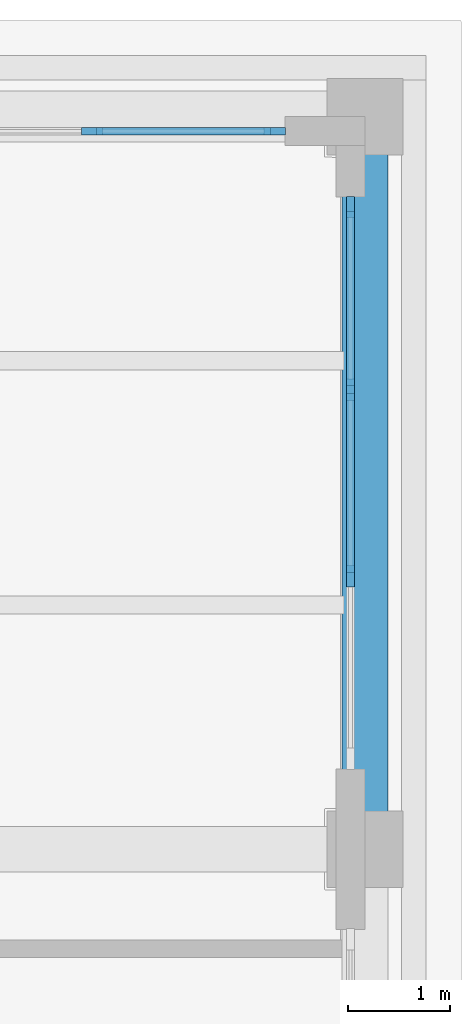
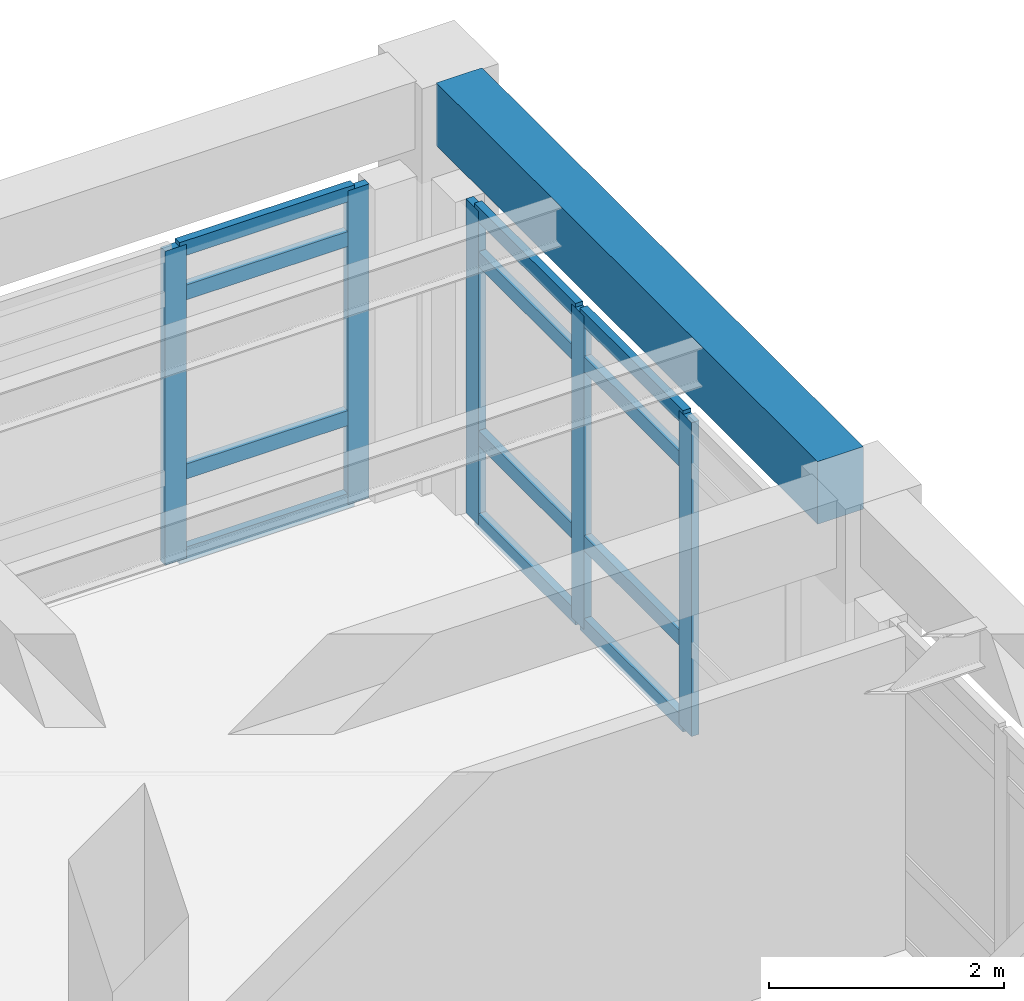
# One storey, part 32 of 67: 17 members, 1 beam, 2 elements without a shape of their own.
"""IFC4 building model written with IfcOpenShell, lengths in metres."""

from ifc_helpers import new_model, si_unit, direction, frame, origin, origin_2d, place, context, subcontext, project, spatial, rectangle, extrude, material, layer, layer_set, material_profile, profile_set, type_object, element, aggregate, save


model = new_model("IFC4")

# Units and contexts
model_context = context("Model", 3, precision=1e-05, world=origin(), true_north=direction((0.0, 1.0)))
body_context = subcontext(model_context, "Body", "Model", "MODEL_VIEW")
ifc_project = project(units=[si_unit("LENGTHUNIT", "METRE"), si_unit("AREAUNIT", "SQUARE_METRE"), si_unit("VOLUMEUNIT", "CUBIC_METRE"), si_unit("PLANEANGLEUNIT", "RADIAN"), si_unit("MASSUNIT", "GRAM", prefix="KILO")], contexts=[model_context])

# Site, building, storey
site_placement = place(None, origin())
site = spatial("IfcSite", under=ifc_project, at=site_placement, CompositionType="ELEMENT")
building_placement = place(site_placement, origin())
building = spatial("IfcBuilding", under=site, at=building_placement, Name="Solenvale Faculty of Natural Sciences", CompositionType="ELEMENT")
storey_placement = place(building_placement, frame((0.0, 0.0, 13.5)))
storey = spatial("IfcBuildingStorey", under=building, at=storey_placement, Name="L03", CompositionType="ELEMENT", Elevation=13.5)

# Beam
ifc_material_1 = material(Name="Concrete 40 MPa", Category="concrete")
ifc_material_profile_1 = material_profile(ifc_material_1, rectangle(XDim=0.449951171875, YDim=0.64990234375, at=origin_2d()), Name="RC-BM-450x650")
ifc_profile_set_1 = profile_set([ifc_material_profile_1], Name="Concrete 40 MPa")
beam_type = type_object("IfcBeamType", Name="BM-RC-450x650", PredefinedType="BEAM", material=ifc_profile_set_1)
beam_placement = place(storey_placement, frame((151.199951171875, 108.35498046875, 3.89501953125), z_axis=(0.0, 1.0, 0.0), x_axis=(-1.0, 0.0, 0.0)))
element("IfcBeam", 1, at=beam_placement, inside=storey, type_object=beam_type, Name="L03 Y-Girder X151.2 (108.0..115.2)", PredefinedType="BEAM", context=body_context, shape_type="SweptSolid", body=[
    extrude(rectangle(XDim=0.449951171875, YDim=0.64990234375, at=origin_2d()), origin(), (0.0, 0.0, 1.0), 6.489990234375),
])

# Curtain wall, members
ifc_material_2 = material(Name="Anodised bronze aluminium", Category="aluminium")
ifc_layer = layer(ifc_material_2, 0.179931640625)
ifc_layer_set = layer_set([ifc_layer], Name="Anodised bronze aluminium")
curtain_wall_type = type_object("IfcCurtainWallType", Name="CW-TWR-MOD", PredefinedType="USERDEFINED", material=ifc_layer_set)
curtain_wall_1_placement = place(storey_placement, origin())
curtain_wall_1 = element("IfcCurtainWall", 2, at=curtain_wall_1_placement, inside=storey, type_object=curtain_wall_type, Name="L03 Curtain Wall CW-L03-P3-E3-B3", ObjectType="UNITISED CURTAIN WALL", PredefinedType="USERDEFINED")
ifc_material_profile_2 = material_profile(ifc_material_2, rectangle(XDim=0.074951171875, YDim=0.2099609375, at=origin_2d()), Name="ALU-MUL-75x210")
ifc_profile_set_2 = profile_set([ifc_material_profile_2], Name="Anodised bronze aluminium")
member_type_1 = type_object("IfcMemberType", Name="CWM-ALU-75x210", PredefinedType="MULLION", material=ifc_profile_set_2)
member_1_placement = place(storey_placement, frame((151.0576171875, 110.683349609375, 0.0), z_axis=(0.0, 0.0, 1.0), x_axis=(-1.0, 0.0, 0.0)))
member_1 = element("IfcMember", 3, at=member_1_placement, type_object=member_type_1, Name="CW-04 mullion 2", PredefinedType="MULLION", context=body_context, shape_type="SweptSolid", body=[
    extrude(rectangle(XDim=0.074951171875, YDim=0.2099609375, at=origin_2d()), origin(), (0.0, 0.0, 1.0), 3.260009765625),
])
member_2_placement = place(storey_placement, frame((151.0576171875, 112.5166015625, 0.0), z_axis=(0.0, 0.0, 1.0), x_axis=(-1.0, 0.0, 0.0)))
member_2 = element("IfcMember", 4, at=member_2_placement, type_object=member_type_1, Name="CW-04 mullion 3", PredefinedType="MULLION", context=body_context, shape_type="SweptSolid", body=[
    extrude(rectangle(XDim=0.074951171875, YDim=0.2099609375, at=origin_2d()), origin(), (0.0, 0.0, 1.0), 3.260009765625),
])
member_3_placement = place(storey_placement, frame((151.0576171875, 114.3125, 0.0), z_axis=(0.0, 0.0, 1.0), x_axis=(-1.0, 0.0, 0.0)))
member_3 = element("IfcMember", 5, at=member_3_placement, type_object=member_type_1, Name="CW-04 mullion 4", PredefinedType="MULLION", context=body_context, shape_type="SweptSolid", body=[
    extrude(rectangle(XDim=0.074951171875, YDim=0.2099609375, at=origin_2d()), origin(), (0.0, 0.0, 1.0), 3.260009765625),
])

curtain_wall_2_placement = place(storey_placement, origin())
curtain_wall_2 = element("IfcCurtainWall", 6, at=curtain_wall_2_placement, inside=storey, type_object=curtain_wall_type, Name="L03 Curtain Wall CW-L03-P3-E4-B1", ObjectType="UNITISED CURTAIN WALL", PredefinedType="USERDEFINED")
member_4_placement = place(storey_placement, frame((150.3125, 115.0576171875, 0.0), z_axis=(0.0, 0.0, 1.0), x_axis=(0.0, -1.0, 0.0)))
member_4 = element("IfcMember", 7, at=member_4_placement, type_object=member_type_1, Name="CW-04 mullion 1", PredefinedType="MULLION", context=body_context, shape_type="SweptSolid", body=[
    extrude(rectangle(XDim=0.074951171875, YDim=0.2099609375, at=origin_2d()), origin(), (0.0, 0.0, 1.0), 3.260009765625),
])
member_5_placement = place(storey_placement, frame((148.5166015625, 115.0576171875, 0.0), z_axis=(0.0, 0.0, 1.0), x_axis=(0.0, -1.0, 0.0)))
member_5 = element("IfcMember", 8, at=member_5_placement, type_object=member_type_1, Name="CW-04 mullion 2", PredefinedType="MULLION", context=body_context, shape_type="SweptSolid", body=[
    extrude(rectangle(XDim=0.074951171875, YDim=0.2099609375, at=origin_2d()), origin(), (0.0, 0.0, 1.0), 3.260009765625),
])

# Member
ifc_material_profile_3 = material_profile(ifc_material_2, rectangle(XDim=0.074951171875, YDim=0.155029296875, at=origin_2d()), Name="ALU-TRN-75x155")
ifc_profile_set_3 = profile_set([ifc_material_profile_3], Name="Anodised bronze aluminium")
member_type_2 = type_object("IfcMemberType", Name="CWT-ALU-75x155", PredefinedType="USERDEFINED", material=ifc_profile_set_3)
member_6_placement = place(storey_placement, frame((151.0576171875, 110.720947265625, 0.03759765625), z_axis=(0.0, 1.0, 0.0), x_axis=(-1.0, 0.0, 0.0)))
member_6 = element("IfcMember", 9, at=member_6_placement, type_object=member_type_2, Name="CW-04 transom 2.1", ObjectType="TRANSOM", PredefinedType="USERDEFINED", context=body_context, shape_type="SweptSolid", body=[
    extrude(rectangle(XDim=0.074951171875, YDim=0.155029296875, at=origin_2d()), origin(), (0.0, 0.0, 1.0), 1.75830078125),
])

member_7_placement = place(storey_placement, frame((151.0576171875, 110.720947265625, 0.89990234375), z_axis=(0.0, 1.0, 0.0), x_axis=(-1.0, 0.0, 0.0)))
member_7 = element("IfcMember", 10, at=member_7_placement, type_object=member_type_2, Name="CW-04 transom 2.2", ObjectType="TRANSOM", PredefinedType="USERDEFINED", context=body_context, shape_type="SweptSolid", body=[
    extrude(rectangle(XDim=0.074951171875, YDim=0.155029296875, at=origin_2d()), origin(), (0.0, 0.0, 1.0), 1.75830078125),
])

member_8_placement = place(storey_placement, frame((151.0576171875, 110.720947265625, 2.760009765625), z_axis=(0.0, 1.0, 0.0), x_axis=(-1.0, 0.0, 0.0)))
member_8 = element("IfcMember", 11, at=member_8_placement, type_object=member_type_2, Name="CW-04 transom 2.3", ObjectType="TRANSOM", PredefinedType="USERDEFINED", context=body_context, shape_type="SweptSolid", body=[
    extrude(rectangle(XDim=0.074951171875, YDim=0.155029296875, at=origin_2d()), origin(), (0.0, 0.0, 1.0), 1.75830078125),
])

member_9_placement = place(storey_placement, frame((151.0576171875, 110.720947265625, 3.222412109375), z_axis=(0.0, 1.0, 0.0), x_axis=(-1.0, 0.0, 0.0)))
member_9 = element("IfcMember", 12, at=member_9_placement, type_object=member_type_2, Name="CW-04 transom 2.4", ObjectType="TRANSOM", PredefinedType="USERDEFINED", context=body_context, shape_type="SweptSolid", body=[
    extrude(rectangle(XDim=0.074951171875, YDim=0.155029296875, at=origin_2d()), origin(), (0.0, 0.0, 1.0), 1.75830078125),
])

member_10_placement = place(storey_placement, frame((151.0576171875, 112.55419921875, 0.03759765625), z_axis=(0.0, 1.0, 0.0), x_axis=(-1.0, 0.0, 0.0)))
member_10 = element("IfcMember", 13, at=member_10_placement, type_object=member_type_2, Name="CW-04 transom 3.1", ObjectType="TRANSOM", PredefinedType="USERDEFINED", context=body_context, shape_type="SweptSolid", body=[
    extrude(rectangle(XDim=0.074951171875, YDim=0.155029296875, at=origin_2d()), origin(), (0.0, 0.0, 1.0), 1.720703125),
])

member_11_placement = place(storey_placement, frame((151.0576171875, 112.55419921875, 0.89990234375), z_axis=(0.0, 1.0, 0.0), x_axis=(-1.0, 0.0, 0.0)))
member_11 = element("IfcMember", 14, at=member_11_placement, type_object=member_type_2, Name="CW-04 transom 3.2", ObjectType="TRANSOM", PredefinedType="USERDEFINED", context=body_context, shape_type="SweptSolid", body=[
    extrude(rectangle(XDim=0.074951171875, YDim=0.155029296875, at=origin_2d()), origin(), (0.0, 0.0, 1.0), 1.720703125),
])

member_12_placement = place(storey_placement, frame((151.0576171875, 112.55419921875, 2.760009765625), z_axis=(0.0, 1.0, 0.0), x_axis=(-1.0, 0.0, 0.0)))
member_12 = element("IfcMember", 15, at=member_12_placement, type_object=member_type_2, Name="CW-04 transom 3.3", ObjectType="TRANSOM", PredefinedType="USERDEFINED", context=body_context, shape_type="SweptSolid", body=[
    extrude(rectangle(XDim=0.074951171875, YDim=0.155029296875, at=origin_2d()), origin(), (0.0, 0.0, 1.0), 1.720703125),
])

member_13_placement = place(storey_placement, frame((151.0576171875, 112.55419921875, 3.222412109375), z_axis=(0.0, 1.0, 0.0), x_axis=(-1.0, 0.0, 0.0)))
member_13 = element("IfcMember", 16, at=member_13_placement, type_object=member_type_2, Name="CW-04 transom 3.4", ObjectType="TRANSOM", PredefinedType="USERDEFINED", context=body_context, shape_type="SweptSolid", body=[
    extrude(rectangle(XDim=0.074951171875, YDim=0.155029296875, at=origin_2d()), origin(), (0.0, 0.0, 1.0), 1.720703125),
])

aggregate(curtain_wall_1, [member_1, member_2, member_3, member_6, member_7, member_8, member_9, member_10, member_11, member_12, member_13])

member_14_placement = place(storey_placement, frame((150.27490234375, 115.0576171875, 0.03759765625), z_axis=(-1.0, 0.0, 0.0), x_axis=(0.0, -1.0, 0.0)))
member_14 = element("IfcMember", 17, at=member_14_placement, type_object=member_type_2, Name="CW-04 transom 1.1", ObjectType="TRANSOM", PredefinedType="USERDEFINED", context=body_context, shape_type="SweptSolid", body=[
    extrude(rectangle(XDim=0.074951171875, YDim=0.155029296875, at=origin_2d()), origin(), (0.0, 0.0, 1.0), 1.720703125),
])

member_15_placement = place(storey_placement, frame((150.27490234375, 115.0576171875, 0.89990234375), z_axis=(-1.0, 0.0, 0.0), x_axis=(0.0, -1.0, 0.0)))
member_15 = element("IfcMember", 18, at=member_15_placement, type_object=member_type_2, Name="CW-04 transom 1.2", ObjectType="TRANSOM", PredefinedType="USERDEFINED", context=body_context, shape_type="SweptSolid", body=[
    extrude(rectangle(XDim=0.074951171875, YDim=0.155029296875, at=origin_2d()), origin(), (0.0, 0.0, 1.0), 1.720703125),
])

member_16_placement = place(storey_placement, frame((150.27490234375, 115.0576171875, 2.760009765625), z_axis=(-1.0, 0.0, 0.0), x_axis=(0.0, -1.0, 0.0)))
member_16 = element("IfcMember", 19, at=member_16_placement, type_object=member_type_2, Name="CW-04 transom 1.3", ObjectType="TRANSOM", PredefinedType="USERDEFINED", context=body_context, shape_type="SweptSolid", body=[
    extrude(rectangle(XDim=0.074951171875, YDim=0.155029296875, at=origin_2d()), origin(), (0.0, 0.0, 1.0), 1.720703125),
])

member_17_placement = place(storey_placement, frame((150.27490234375, 115.0576171875, 3.222412109375), z_axis=(-1.0, 0.0, 0.0), x_axis=(0.0, -1.0, 0.0)))
member_17 = element("IfcMember", 20, at=member_17_placement, type_object=member_type_2, Name="CW-04 transom 1.4", ObjectType="TRANSOM", PredefinedType="USERDEFINED", context=body_context, shape_type="SweptSolid", body=[
    extrude(rectangle(XDim=0.074951171875, YDim=0.155029296875, at=origin_2d()), origin(), (0.0, 0.0, 1.0), 1.720703125),
])

aggregate(curtain_wall_2, [member_4, member_5, member_14, member_15, member_16, member_17])

save(model, "model.ifc")
